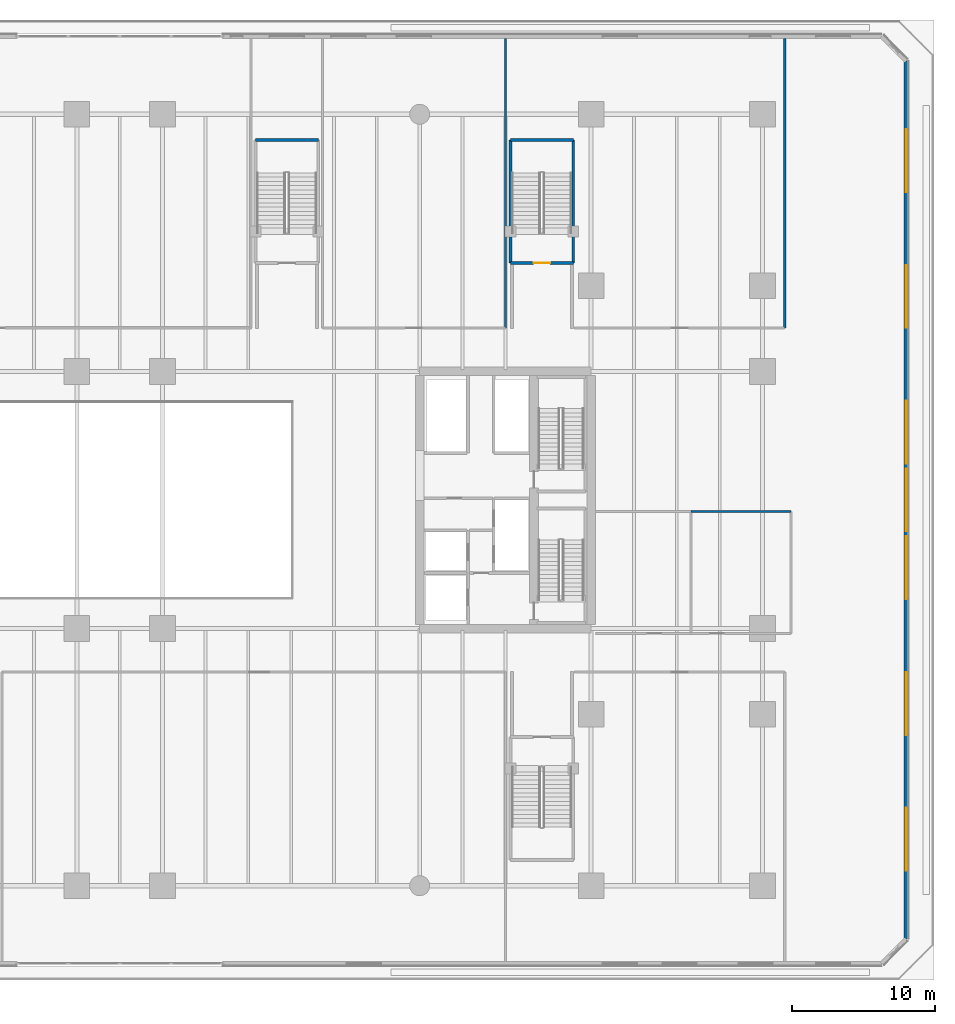
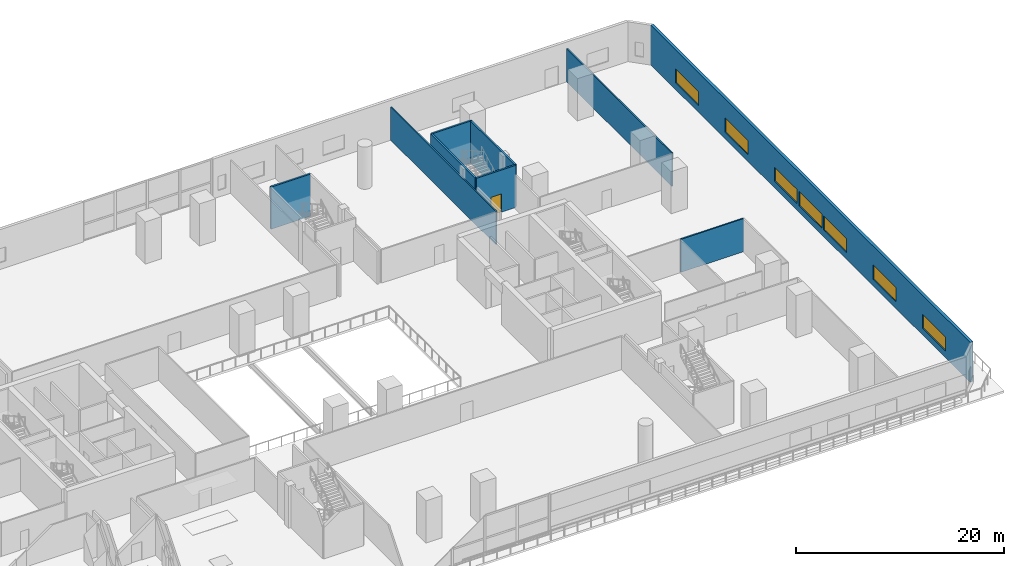
# One storey, part 10 of 24: 9 walls, 7 windows, 1 door, 8 openings.
"""IFC4 building model written with IfcOpenShell, lengths in metres."""

from ifc_helpers import new_model, si_unit, direction, frame, frame_2d, origin, place, context, subcontext, project, spatial, rectangle, extrude, material, layer, layer_set, type_object, element, fill, save


model = new_model("IFC4")

# Units and contexts
model_context = context("Model", 3, precision=1e-05, world=origin(), true_north=direction((0.0, 1.0)))
body_context = subcontext(model_context, "Body", "Model", "MODEL_VIEW")
ifc_project = project(units=[si_unit("LENGTHUNIT", "METRE"), si_unit("AREAUNIT", "SQUARE_METRE"), si_unit("VOLUMEUNIT", "CUBIC_METRE"), si_unit("PLANEANGLEUNIT", "RADIAN"), si_unit("MASSUNIT", "GRAM", prefix="KILO")], contexts=[model_context])

# Site, building, storey
site_placement = place(None, origin())
site = spatial("IfcSite", under=ifc_project, at=site_placement, CompositionType="ELEMENT")
building_placement = place(site_placement, origin())
building = spatial("IfcBuilding", under=site, at=building_placement, Name="Tanjung Sevakor Pilgrim Tower", CompositionType="ELEMENT")
storey_placement = place(building_placement, frame((0.0, 0.0, 4.949951171875)))
storey = spatial("IfcBuildingStorey", under=building, at=storey_placement, Name="L02", CompositionType="ELEMENT", Elevation=4.949951171875)

# Walls
ifc_material_1 = material(Name="Concrete C40/50", Category="concrete")
ifc_layer_1 = layer(ifc_material_1, 0.14990234375)
ifc_layer_set_1 = layer_set([ifc_layer_1], Name="WT-COMP-150")
wall_type_1 = type_object("IfcWallType", Name="WT-COMP-150", PredefinedType="SOLIDWALL", material=ifc_layer_set_1)
wall_1_placement = place(storey_placement, frame((97.0, 32.800048828125, 0.0), z_axis=(0.0, 0.0, 1.0), x_axis=(1.0, 0.0, 0.0)))
element("IfcWall", 1, at=wall_1_placement, inside=storey, type_object=wall_type_1, Name="L02 Partition IW-L02-054", PredefinedType="SOLIDWALL", context=body_context, shape_type="SweptSolid", body=[
    extrude(rectangle(XDim=7.0, YDim=0.14990234375, at=frame_2d((3.5, 0.0))), origin(), (0.0, 0.0, 1.0), 3.889892578125),
])
for number, where, z_axis, x_axis, name in (
    (2, (84.0, 45.64990234375, 0.0), (0.0, 0.0, 1.0), (0.0, 1.0, 0.0), "L02 Partition IW-L02-062"),
    (3, (103.550048828125, 45.64990234375, 0.0), (0.0, 0.0, 1.0), (0.0, 1.0, 0.0), "L02 Partition IW-L02-064"),
):
    element("IfcWall", number, at=place(storey_placement, frame(where, z_axis=z_axis, x_axis=x_axis)), inside=storey, type_object=wall_type_1, Name=name, PredefinedType="SOLIDWALL", context=body_context, shape_type="SweptSolid", body=[
        extrude(rectangle(XDim=20.25, YDim=0.14990234375, at=frame_2d((10.125, 0.0))), origin(), (0.0, 0.0, 1.0), 3.889892578125),
    ])

# Wall, openings, windows
ifc_material_2 = material(Name="Precast concrete C45/55", Category="concrete")
ifc_layer_2 = layer(ifc_material_2, 0.300048828125)
ifc_layer_set_2 = layer_set([ifc_layer_2], Name="WT-EW-STN1")
wall_type_2 = type_object("IfcWallType", Name="WT-EW-STN1", PredefinedType="SOLIDWALL", material=ifc_layer_set_2)
wall_2_placement = place(storey_placement, frame((112.050048828125, 2.862060546875, 0.0), z_axis=(0.0, 0.0, 1.0), x_axis=(0.0, 1.0, 0.0)))
wall_2 = element("IfcWall", 4, at=wall_2_placement, inside=storey, type_object=wall_type_2, Name="L02 MAIN Exterior Wall 3", PredefinedType="SOLIDWALL", context=body_context, shape_type="SweptSolid", body=[
    extrude(rectangle(XDim=61.475830078125, YDim=0.300048828125, at=frame_2d((30.73779296875, 0.0))), origin(), (0.0, 0.0, 1.0), 4.669921875),
])
opening_1_placement = place(wall_2_placement, frame((28.537841796875, 0.0, 0.780029296875)))
opening_1 = element("IfcOpeningElement", 5, at=opening_1_placement, cuts=wall_2, Name="Opening WN-ENDW-1660", PredefinedType="OPENING", context=body_context, shape_type="SweptSolid", body=[
    extrude(rectangle(XDim=4.39990234375, YDim=1.659912109375, at=frame_2d((2.199951171875, 0.830078125))), frame((0.0, 0.159912109375, 0.0), z_axis=(0.0, -1.0, 0.0), x_axis=(1.0, 0.0, 0.0)), (0.0, 0.0, 1.0), 0.320068359375),
])
opening_2_placement = place(wall_2_placement, frame((4.787841796875, 0.0, 0.780029296875)))
opening_2 = element("IfcOpeningElement", 6, at=opening_2_placement, cuts=wall_2, Name="Opening WN-ENDW-1660", PredefinedType="OPENING", context=body_context, shape_type="SweptSolid", body=[
    extrude(rectangle(XDim=4.39990234375, YDim=1.659912109375, at=frame_2d((2.199951171875, 0.830078125))), frame((0.0, 0.159912109375, 0.0), z_axis=(0.0, -1.0, 0.0), x_axis=(1.0, 0.0, 0.0)), (0.0, 0.0, 1.0), 0.320068359375),
])
opening_3_placement = place(wall_2_placement, frame((14.287841796875, 0.0, 0.780029296875)))
opening_3 = element("IfcOpeningElement", 7, at=opening_3_placement, cuts=wall_2, Name="Opening WN-ENDW-1660", PredefinedType="OPENING", context=body_context, shape_type="SweptSolid", body=[
    extrude(rectangle(XDim=4.39990234375, YDim=1.659912109375, at=frame_2d((2.199951171875, 0.830078125))), frame((0.0, 0.159912109375, 0.0), z_axis=(0.0, -1.0, 0.0), x_axis=(1.0, 0.0, 0.0)), (0.0, 0.0, 1.0), 0.320068359375),
])
opening_4_placement = place(wall_2_placement, frame((23.787841796875, 0.0, 0.780029296875)))
opening_4 = element("IfcOpeningElement", 8, at=opening_4_placement, cuts=wall_2, Name="Opening WN-ENDW-1660", PredefinedType="OPENING", context=body_context, shape_type="SweptSolid", body=[
    extrude(rectangle(XDim=4.39990234375, YDim=1.659912109375, at=frame_2d((2.199951171875, 0.830078125))), frame((0.0, 0.159912109375, 0.0), z_axis=(0.0, -1.0, 0.0), x_axis=(1.0, 0.0, 0.0)), (0.0, 0.0, 1.0), 0.320068359375),
])
opening_5_placement = place(wall_2_placement, frame((33.287841796875, 0.0, 0.780029296875)))
opening_5 = element("IfcOpeningElement", 9, at=opening_5_placement, cuts=wall_2, Name="Opening WN-ENDW-1660", PredefinedType="OPENING", context=body_context, shape_type="SweptSolid", body=[
    extrude(rectangle(XDim=4.39990234375, YDim=1.659912109375, at=frame_2d((2.199951171875, 0.830078125))), frame((0.0, 0.159912109375, 0.0), z_axis=(0.0, -1.0, 0.0), x_axis=(1.0, 0.0, 0.0)), (0.0, 0.0, 1.0), 0.320068359375),
])
opening_6_placement = place(wall_2_placement, frame((42.787841796875, 0.0, 0.780029296875)))
opening_6 = element("IfcOpeningElement", 10, at=opening_6_placement, cuts=wall_2, Name="Opening WN-ENDW-1660", PredefinedType="OPENING", context=body_context, shape_type="SweptSolid", body=[
    extrude(rectangle(XDim=4.39990234375, YDim=1.659912109375, at=frame_2d((2.199951171875, 0.830078125))), frame((0.0, 0.159912109375, 0.0), z_axis=(0.0, -1.0, 0.0), x_axis=(1.0, 0.0, 0.0)), (0.0, 0.0, 1.0), 0.320068359375),
])
opening_7_placement = place(wall_2_placement, frame((52.287841796875, 0.0, 0.780029296875)))
opening_7 = element("IfcOpeningElement", 11, at=opening_7_placement, cuts=wall_2, Name="Opening WN-ENDW-1660", PredefinedType="OPENING", context=body_context, shape_type="SweptSolid", body=[
    extrude(rectangle(XDim=4.39990234375, YDim=1.659912109375, at=frame_2d((2.199951171875, 0.830078125))), frame((0.0, 0.159912109375, 0.0), z_axis=(0.0, -1.0, 0.0), x_axis=(1.0, 0.0, 0.0)), (0.0, 0.0, 1.0), 0.320068359375),
])
ifc_material_3 = material(Name="Thermally Broken Aluminium and Low-E Glass", Category="aluminium")
window_type = type_object("IfcWindowType", Name="WTYP-WN-ENDW-1660", PartitioningType="DOUBLE_PANEL_VERTICAL", PredefinedType="WINDOW", material=ifc_material_3)
window_1_placement = place(opening_1_placement, origin())
window_1 = element("IfcWindow", 12, at=window_1_placement, inside=storey, type_object=window_type, Name="L02 Facade Window 01", OverallHeight=1.659912109375, OverallWidth=4.39990234375, PartitioningType="SINGLE_PANEL", PredefinedType="WINDOW", context=body_context, shape_type="SweptSolid", body=[
    extrude(rectangle(XDim=4.39990234375, YDim=1.659912109375, at=frame_2d((2.199951171875, 0.830078125))), frame((0.0, 0.030029296875, 0.0), z_axis=(0.0, -1.0, 0.0), x_axis=(1.0, 0.0, 0.0)), (0.0, 0.0, 1.0), 0.06005859375),
])
fill(opening_1, window_1)
window_2_placement = place(opening_2_placement, origin())
window_2 = element("IfcWindow", 13, at=window_2_placement, inside=storey, type_object=window_type, Name="L02 Facade Window 02", OverallHeight=1.659912109375, OverallWidth=4.39990234375, PartitioningType="SINGLE_PANEL", PredefinedType="WINDOW", context=body_context, shape_type="SweptSolid", body=[
    extrude(rectangle(XDim=4.39990234375, YDim=1.659912109375, at=frame_2d((2.199951171875, 0.830078125))), frame((0.0, 0.030029296875, 0.0), z_axis=(0.0, -1.0, 0.0), x_axis=(1.0, 0.0, 0.0)), (0.0, 0.0, 1.0), 0.06005859375),
])
fill(opening_2, window_2)
window_3_placement = place(opening_3_placement, origin())
window_3 = element("IfcWindow", 14, at=window_3_placement, inside=storey, type_object=window_type, Name="L02 Facade Window 03", OverallHeight=1.659912109375, OverallWidth=4.39990234375, PartitioningType="SINGLE_PANEL", PredefinedType="WINDOW", context=body_context, shape_type="SweptSolid", body=[
    extrude(rectangle(XDim=4.39990234375, YDim=1.659912109375, at=frame_2d((2.199951171875, 0.830078125))), frame((0.0, 0.030029296875, 0.0), z_axis=(0.0, -1.0, 0.0), x_axis=(1.0, 0.0, 0.0)), (0.0, 0.0, 1.0), 0.06005859375),
])
fill(opening_3, window_3)
window_4_placement = place(opening_4_placement, origin())
window_4 = element("IfcWindow", 15, at=window_4_placement, inside=storey, type_object=window_type, Name="L02 Facade Window 04", OverallHeight=1.659912109375, OverallWidth=4.39990234375, PartitioningType="SINGLE_PANEL", PredefinedType="WINDOW", context=body_context, shape_type="SweptSolid", body=[
    extrude(rectangle(XDim=4.39990234375, YDim=1.659912109375, at=frame_2d((2.199951171875, 0.830078125))), frame((0.0, 0.030029296875, 0.0), z_axis=(0.0, -1.0, 0.0), x_axis=(1.0, 0.0, 0.0)), (0.0, 0.0, 1.0), 0.06005859375),
])
fill(opening_4, window_4)
window_5_placement = place(opening_5_placement, origin())
window_5 = element("IfcWindow", 16, at=window_5_placement, inside=storey, type_object=window_type, Name="L02 Facade Window 05", OverallHeight=1.659912109375, OverallWidth=4.39990234375, PartitioningType="SINGLE_PANEL", PredefinedType="WINDOW", context=body_context, shape_type="SweptSolid", body=[
    extrude(rectangle(XDim=4.39990234375, YDim=1.659912109375, at=frame_2d((2.199951171875, 0.830078125))), frame((0.0, 0.030029296875, 0.0), z_axis=(0.0, -1.0, 0.0), x_axis=(1.0, 0.0, 0.0)), (0.0, 0.0, 1.0), 0.06005859375),
])
fill(opening_5, window_5)
window_6_placement = place(opening_6_placement, origin())
window_6 = element("IfcWindow", 17, at=window_6_placement, inside=storey, type_object=window_type, Name="L02 Facade Window 06", OverallHeight=1.659912109375, OverallWidth=4.39990234375, PartitioningType="SINGLE_PANEL", PredefinedType="WINDOW", context=body_context, shape_type="SweptSolid", body=[
    extrude(rectangle(XDim=4.39990234375, YDim=1.659912109375, at=frame_2d((2.199951171875, 0.830078125))), frame((0.0, 0.030029296875, 0.0), z_axis=(0.0, -1.0, 0.0), x_axis=(1.0, 0.0, 0.0)), (0.0, 0.0, 1.0), 0.06005859375),
])
fill(opening_6, window_6)
window_7_placement = place(opening_7_placement, origin())
window_7 = element("IfcWindow", 18, at=window_7_placement, inside=storey, type_object=window_type, Name="L02 Facade Window 07", OverallHeight=1.659912109375, OverallWidth=4.39990234375, PartitioningType="SINGLE_PANEL", PredefinedType="WINDOW", context=body_context, shape_type="SweptSolid", body=[
    extrude(rectangle(XDim=4.39990234375, YDim=1.659912109375, at=frame_2d((2.199951171875, 0.830078125))), frame((0.0, 0.030029296875, 0.0), z_axis=(0.0, -1.0, 0.0), x_axis=(1.0, 0.0, 0.0)), (0.0, 0.0, 1.0), 0.06005859375),
])
fill(opening_7, window_7)

# Wall
ifc_material_4 = material(Name="Concrete C40/50", Category="concrete")
ifc_layer_3 = layer(ifc_material_4, 0.199951171875)
ifc_layer_set_3 = layer_set([ifc_layer_3], Name="WT-FIRE-200")
wall_type_3 = type_object("IfcWallType", Name="WT-FIRE-200", PredefinedType="SOLIDWALL", material=ifc_layer_set_3)
wall_3_placement = place(storey_placement, frame((70.89990234375, 58.800048828125, 0.0), z_axis=(0.0, 0.0, 1.0), x_axis=(-1.0, 0.0, 0.0)))
element("IfcWall", 19, at=wall_3_placement, inside=storey, type_object=wall_type_3, Name="L02 PS-4 Shaft Wall 3", PredefinedType="SOLIDWALL", context=body_context, shape_type="SweptSolid", body=[
    extrude(rectangle(XDim=4.39990234375, YDim=0.199951171875, at=frame_2d((2.199951171875, 0.0))), origin(), (0.0, 0.0, 1.0), 4.949951171875),
])

# Wall, opening, door
wall_4_placement = place(storey_placement, frame((84.35009765625, 50.199951171875, 0.0), z_axis=(0.0, 0.0, 1.0), x_axis=(1.0, 0.0, 0.0)))
wall_4 = element("IfcWall", 20, at=wall_4_placement, inside=storey, type_object=wall_type_3, Name="L02 PS-6 Shaft Wall 1", PredefinedType="SOLIDWALL", context=body_context, shape_type="SweptSolid", body=[
    extrude(rectangle(XDim=4.39990234375, YDim=0.199951171875, at=frame_2d((2.199951171875, 0.0))), origin(), (0.0, 0.0, 1.0), 4.949951171875),
])
opening_8_placement = place(wall_4_placement, frame((1.625, 0.0, 0.0)))
opening_8 = element("IfcOpeningElement", 21, at=opening_8_placement, cuts=wall_4, Name="Opening ID-ST1", PredefinedType="OPENING", context=body_context, shape_type="SweptSolid", body=[
    extrude(rectangle(XDim=1.14990234375, YDim=2.14990234375, at=frame_2d((0.574951171875, 1.074951171875))), frame((0.0, 0.10986328125, 0.0), z_axis=(0.0, -1.0, 0.0), x_axis=(1.0, 0.0, 0.0)), (0.0, 0.0, 1.0), 0.219970703125),
])
ifc_material_5 = material(Name="Fire-Rated Steel S355J2", Category="steel")
door_type = type_object("IfcDoorType", Name="DT-FIRE-1150", OperationType="NOTDEFINED", PredefinedType="DOOR", material=ifc_material_5)
door_placement = place(opening_8_placement, origin())
door = element("IfcDoor", 22, at=door_placement, inside=storey, type_object=door_type, Name="L02 PS-6 Stair Entry Fire Door", OperationType="SINGLE_SWING_LEFT", OverallHeight=2.14990234375, OverallWidth=1.14990234375, PredefinedType="DOOR", context=body_context, shape_type="SweptSolid", body=[
    extrude(rectangle(XDim=1.14990234375, YDim=2.14990234375, at=frame_2d((0.574951171875, 1.074951171875))), frame((0.0, 0.02490234375, 0.0), z_axis=(0.0, -1.0, 0.0), x_axis=(1.0, 0.0, 0.0)), (0.0, 0.0, 1.0), 0.050048828125),
])
fill(opening_8, door)

# Walls
wall_5_placement = place(storey_placement, frame((88.75, 50.199951171875, 0.0), z_axis=(0.0, 0.0, 1.0), x_axis=(0.0, 1.0, 0.0)))
element("IfcWall", 23, at=wall_5_placement, inside=storey, type_object=wall_type_3, Name="L02 PS-6 Shaft Wall 2", PredefinedType="SOLIDWALL", context=body_context, shape_type="SweptSolid", body=[
    extrude(rectangle(XDim=8.60009765625, YDim=0.199951171875, at=frame_2d((4.300048828125, 0.0))), origin(), (0.0, 0.0, 1.0), 4.949951171875),
])
wall_6_placement = place(storey_placement, frame((88.75, 58.800048828125, 0.0), z_axis=(0.0, 0.0, 1.0), x_axis=(-1.0, 0.0, 0.0)))
element("IfcWall", 24, at=wall_6_placement, inside=storey, type_object=wall_type_3, Name="L02 PS-6 Shaft Wall 3", PredefinedType="SOLIDWALL", context=body_context, shape_type="SweptSolid", body=[
    extrude(rectangle(XDim=4.39990234375, YDim=0.199951171875, at=frame_2d((2.199951171875, 0.0))), origin(), (0.0, 0.0, 1.0), 4.949951171875),
])
wall_7_placement = place(storey_placement, frame((84.35009765625, 58.800048828125, 0.0), z_axis=(0.0, 0.0, 1.0), x_axis=(0.0, -1.0, 0.0)))
element("IfcWall", 25, at=wall_7_placement, inside=storey, type_object=wall_type_3, Name="L02 PS-6 Shaft Wall 4", PredefinedType="SOLIDWALL", context=body_context, shape_type="SweptSolid", body=[
    extrude(rectangle(XDim=8.60009765625, YDim=0.199951171875, at=frame_2d((4.300048828125, 0.0))), origin(), (0.0, 0.0, 1.0), 4.949951171875),
])

save(model, "model.ifc")
